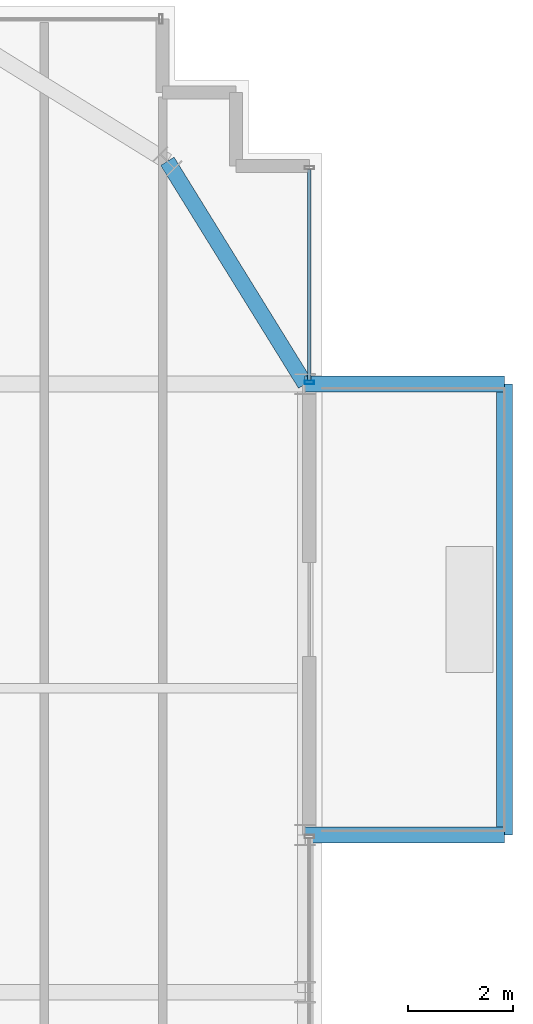
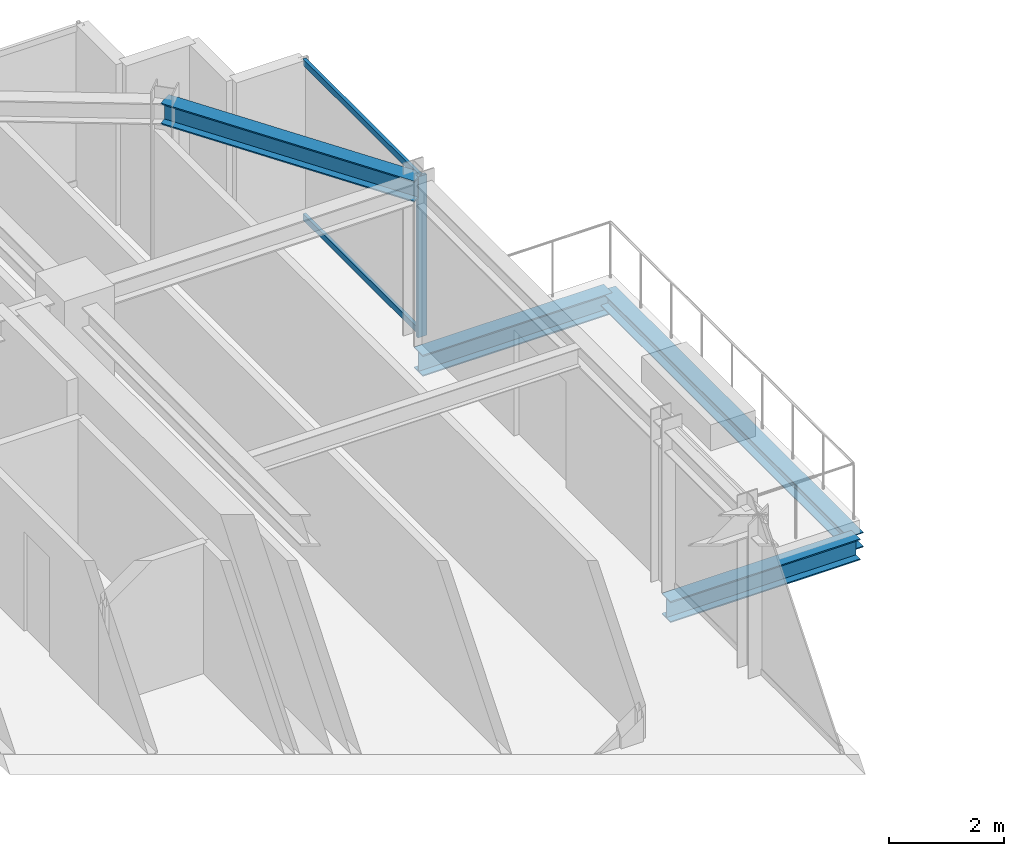
# One storey, part 25 of 34: 4 beams, 3 members, 1 element without a shape of its own.
"""IFC4 building model written with IfcOpenShell, lengths in metres."""

from ifc_helpers import new_model, si_unit, direction, frame, origin, origin_2d, place, context, subcontext, project, spatial, hollow_rectangle, i_section, extrude, source, transform, mapped, material, material_profile, profile_set, type_object, element, aggregate, save


model = new_model("IFC4")

# Units and contexts
model_context = context("Model", 3, precision=1e-05, world=origin(), true_north=direction((0.0, 1.0)))
body_context = subcontext(model_context, "Body", "Model", "MODEL_VIEW")
ifc_project = project(units=[si_unit("LENGTHUNIT", "METRE"), si_unit("AREAUNIT", "SQUARE_METRE"), si_unit("VOLUMEUNIT", "CUBIC_METRE"), si_unit("PLANEANGLEUNIT", "RADIAN"), si_unit("MASSUNIT", "GRAM", prefix="KILO")], contexts=[model_context])

# Site, building, storey
site_placement = place(None, origin())
site = spatial("IfcSite", under=ifc_project, at=site_placement, CompositionType="ELEMENT")
building_placement = place(site_placement, origin())
building = spatial("IfcBuilding", under=site, at=building_placement, Name="Nahalor Promenade Grand Hotel", CompositionType="ELEMENT")
storey_placement = place(building_placement, frame((0.0, 0.0, 208.60009765625)))
storey = spatial("IfcBuildingStorey", under=building, at=storey_placement, Name="L53", CompositionType="ELEMENT", Elevation=208.60009765625)

# Beams
ifc_material_1 = material(Name="Steel S355JR", Category="steel")
ifc_material_profile_1 = material_profile(ifc_material_1, i_section(OverallWidth=0.3, OverallDepth=0.32, WebThickness=0.0115, FlangeThickness=0.0205, at=origin_2d()), Name="HEB 320")
ifc_profile_set_1 = profile_set([ifc_material_profile_1], Name="Steel S355JR")
beam_type_1 = type_object("IfcBeamType", Name="Beam-BalcEdge-HEB320", PredefinedType="SPANDREL", material=ifc_profile_set_1)
shared_shape_1 = source(origin(), body_context, "Body", "SweptSolid", [
    extrude(i_section(OverallWidth=0.3, OverallDepth=0.32, WebThickness=0.0115, FlangeThickness=0.0205, at=origin_2d()), origin(), (0.0, 0.0, 1.0), 8.60009765625),
])
beam_1_placement = place(storey_placement, frame((27.679931640625, 8.39990234375, -0.440185546875), z_axis=(0.0, 1.0, 0.0), x_axis=(-1.0, 0.0, 0.0)))
element("IfcBeam", 1, at=beam_1_placement, inside=storey, type_object=beam_type_1, Name="BM-L53-BC-02-F", PredefinedType="SPANDREL", context=body_context, shape_type="MappedRepresentation", body=[
    mapped(shared_shape_1, transform((0.0, 0.0, 0.0), scale=1.0)),
])
ifc_material_profile_2 = material_profile(ifc_material_1, i_section(OverallWidth=0.3, OverallDepth=0.45, WebThickness=0.014, FlangeThickness=0.026, at=origin_2d()), Name="HEB 450")
ifc_profile_set_2 = profile_set([ifc_material_profile_2], Name="Steel S355JR")
beam_type_2 = type_object("IfcBeamType", Name="Beam-Outrigger-HEB450", PredefinedType="BEAM", material=ifc_profile_set_2)
shared_shape_2 = source(origin(), body_context, "Body", "SweptSolid", [
    extrude(i_section(OverallWidth=0.3, OverallDepth=0.45, WebThickness=0.014, FlangeThickness=0.026, at=origin_2d()), origin(), (0.0, 0.0, 1.0), 3.800048828125),
])
for number, where, z_axis, x_axis, name in (
    (2, (23.8798828125, 8.39990234375, -0.505126953125), (1.0, 0.0, 0.0), (0.0, 1.0, 0.0), "BM-L53-BC-02-1"),
    (3, (23.8798828125, 17.0, -0.505126953125), (1.0, 0.0, 0.0), (0.0, 1.0, 0.0), "BM-L53-BC-02-2"),
):
    element("IfcBeam", number, at=place(storey_placement, frame(where, z_axis=z_axis, x_axis=x_axis)), inside=storey, type_object=beam_type_2, Name=name, PredefinedType="BEAM", context=body_context, shape_type="MappedRepresentation", body=[
        mapped(shared_shape_2, transform((0.0, 0.0, 0.0), scale=1.0)),
    ])
ifc_material_profile_3 = material_profile(ifc_material_1, i_section(OverallWidth=0.3, OverallDepth=0.45, WebThickness=0.014, FlangeThickness=0.026, at=origin_2d()), Name="HEB 450")
ifc_profile_set_3 = profile_set([ifc_material_profile_3], Name="Steel S355JR")
beam_type_3 = type_object("IfcBeamType", Name="Beam-Spandrel-HEB450", PredefinedType="SPANDREL", material=ifc_profile_set_3)
shared_shape_3 = source(origin(), body_context, "Body", "SweptSolid", [
    extrude(i_section(OverallWidth=0.3, OverallDepth=0.45, WebThickness=0.014, FlangeThickness=0.026, at=origin_2d()), origin(), (0.0, 0.0, 1.0), 4.997802734375),
])
beam_2_placement = place(storey_placement, frame((21.25, 21.25, 3.184814453125), z_axis=(0.526199891161, -0.850360908404, 0.0), x_axis=(0.850360908404, 0.526199891161, 0.0)))
element("IfcBeam", 4, at=beam_2_placement, inside=storey, type_object=beam_type_3, Name="BM-L53-SPC-NE-2", PredefinedType="SPANDREL", context=body_context, shape_type="MappedRepresentation", body=[
    mapped(shared_shape_3, transform((0.0, 0.0, 0.0), scale=1.0)),
])

# Curtain wall, members
ifc_material_2 = material(Name="Anodised Bronze Aluminium EN AW-6063 T6", Category="aluminium")
curtain_wall_type = type_object("IfcCurtainWallType", Name="CW2 Typical Hotel Flush Bronze Unitised Curtain Wall", PredefinedType="USERDEFINED", material=ifc_material_2)
curtain_wall_placement = place(storey_placement, origin())
curtain_wall = element("IfcCurtainWall", 5, at=curtain_wall_placement, inside=storey, type_object=curtain_wall_type, Name="L53 Curtain Wall CW-L53-E-3", ObjectType="UNITISED_CURTAIN_WALL", PredefinedType="USERDEFINED")
ifc_material_profile_4 = material_profile(ifc_material_2, hollow_rectangle(XDim=0.065, YDim=0.13, WallThickness=0.004, at=origin_2d()), Name="CWT 65x130x4")
ifc_profile_set_4 = profile_set([ifc_material_profile_4], Name="Anodised Bronze Aluminium EN AW-6063 T6")
member_type_1 = type_object("IfcMemberType", Name="CWT2 Typical Bronze Transom 65x130", PredefinedType="USERDEFINED", material=ifc_profile_set_4)
shared_shape_4 = source(origin(), body_context, "Body", "SweptSolid", [
    extrude(hollow_rectangle(XDim=0.065, YDim=0.13, WallThickness=0.004, at=origin_2d()), origin(), (0.0, 0.0, 1.0), 4.030029296875),
])
member_1_placement = place(storey_placement, frame((23.9599609375, 17.06494140625, 0.06494140625), z_axis=(0.0, 1.0, 0.0), x_axis=(-1.0, 0.0, 0.0)))
member_1 = element("IfcMember", 6, at=member_1_placement, type_object=member_type_1, Name="CW-L53-E-3 Transom 0-0", ObjectType="TRANSOM", PredefinedType="USERDEFINED", context=body_context, shape_type="MappedRepresentation", body=[
    mapped(shared_shape_4, transform((0.0, 0.0, 0.0), scale=1.0)),
])
member_2_placement = place(storey_placement, frame((23.9599609375, 17.06494140625, 3.344970703125), z_axis=(0.0, 1.0, 0.0), x_axis=(-1.0, 0.0, 0.0)))
member_2 = element("IfcMember", 7, at=member_2_placement, type_object=member_type_1, Name="CW-L53-E-3 Transom 0-1", ObjectType="TRANSOM", PredefinedType="USERDEFINED", context=body_context, shape_type="MappedRepresentation", body=[
    mapped(shared_shape_4, transform((0.0, 0.0, 0.0), scale=1.0)),
])
ifc_material_profile_5 = material_profile(ifc_material_2, hollow_rectangle(XDim=0.065, YDim=0.18, WallThickness=0.004, at=origin_2d()), Name="CWM 65x180x4")
ifc_profile_set_5 = profile_set([ifc_material_profile_5], Name="Anodised Bronze Aluminium EN AW-6063 T6")
member_type_2 = type_object("IfcMemberType", Name="CWM2 Typical Bronze Mullion 65x180", PredefinedType="MULLION", material=ifc_profile_set_5)
shared_shape_5 = source(origin(), body_context, "Body", "SweptSolid", [
    extrude(hollow_rectangle(XDim=0.065, YDim=0.18, WallThickness=0.004, at=origin_2d()), origin(), (0.0, 0.0, 1.0), 3.409912109375),
])
member_3_placement = place(storey_placement, frame((23.9599609375, 17.032470703125, 0.0), z_axis=(0.0, 0.0, 1.0), x_axis=(0.0, 1.0, 0.0)))
member_3 = element("IfcMember", 8, at=member_3_placement, type_object=member_type_2, Name="CW-L53-E-3 Mullion 0", PredefinedType="MULLION", context=body_context, shape_type="MappedRepresentation", body=[
    mapped(shared_shape_5, transform((0.0, 0.0, 0.0), scale=1.0)),
])
aggregate(curtain_wall, [member_3, member_1, member_2])

save(model, "model.ifc")
